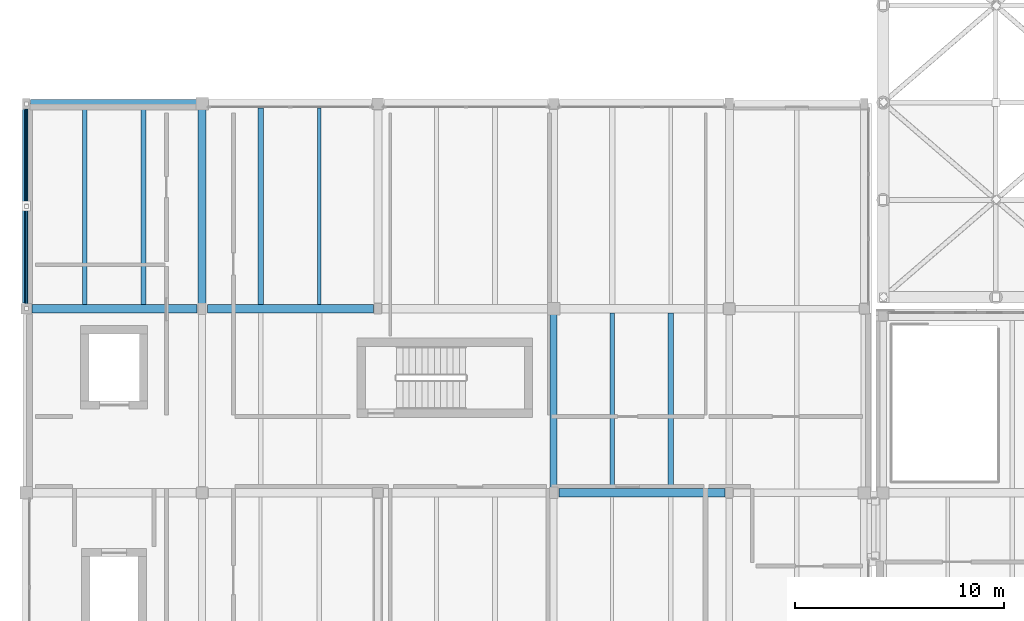
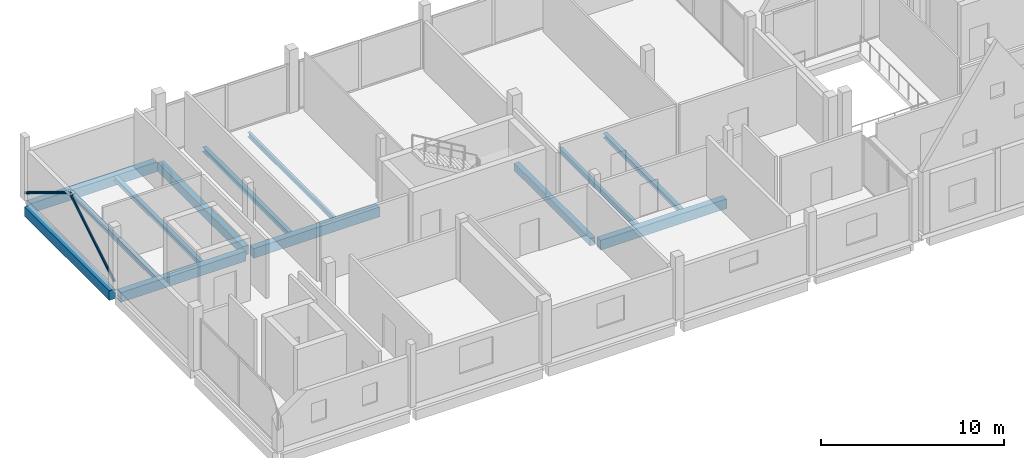
# One storey, part 5 of 41: 13 beams, 2 members.
"""IFC4 building model written with IfcOpenShell, lengths in metres."""

from ifc_helpers import new_model, si_unit, direction, frame, origin, origin_2d, place, context, subcontext, project, spatial, rectangle, hollow_circle, i_section, extrude, material, material_profile, profile_set, type_object, element, save


model = new_model("IFC4")

# Units and contexts
model_context = context("Model", 3, precision=1e-05, world=origin(), true_north=direction((0.0, 1.0)))
body_context = subcontext(model_context, "Body", "Model", "MODEL_VIEW")
ifc_project = project(units=[si_unit("LENGTHUNIT", "METRE"), si_unit("AREAUNIT", "SQUARE_METRE"), si_unit("VOLUMEUNIT", "CUBIC_METRE"), si_unit("PLANEANGLEUNIT", "RADIAN"), si_unit("MASSUNIT", "GRAM", prefix="KILO")], contexts=[model_context])

# Site, building, storey
site_placement = place(None, origin())
site = spatial("IfcSite", under=ifc_project, at=site_placement, CompositionType="ELEMENT")
building_placement = place(site_placement, origin())
building = spatial("IfcBuilding", under=site, at=building_placement, Name="Birchvale Park Specialist Clinic", CompositionType="ELEMENT")
storey_placement = place(building_placement, frame((0.0, 0.0, 9.60009765625)))
storey = spatial("IfcBuildingStorey", under=building, at=storey_placement, Name="L02", CompositionType="ELEMENT", Elevation=9.60009765625)

# Beams
ifc_material_1 = material(Name="Concrete C40/50", Category="concrete")
ifc_material_profile_1 = material_profile(ifc_material_1, rectangle(XDim=0.3798828125, YDim=0.639892578125, at=origin_2d()), Name="RCB-380x640")
ifc_profile_set_1 = profile_set([ifc_material_profile_1], Name="Concrete C40/50")
beam_type_1 = type_object("IfcBeamType", Name="BM-EXT-BG5", PredefinedType="BEAM", material=ifc_profile_set_1)
beam_1_placement = place(storey_placement, frame((11.199951171875, 34.875, -0.670166015625), z_axis=(0.0, 1.0, 0.0), x_axis=(-1.0, 0.0, 0.0)))
element("IfcBeam", 1, at=beam_1_placement, inside=storey, type_object=beam_type_1, Name="V2 L02 Y girder 23", PredefinedType="BEAM", context=body_context, shape_type="SweptSolid", body=[
    extrude(rectangle(XDim=0.3798828125, YDim=0.639892578125, at=origin_2d()), origin(), (0.0, 0.0, 1.0), 9.25),
])
ifc_material_profile_2 = material_profile(ifc_material_1, rectangle(XDim=0.39990234375, YDim=0.64990234375, at=origin_2d()), Name="RCB-400x650")
ifc_profile_set_2 = profile_set([ifc_material_profile_2], Name="Concrete C40/50")
beam_type_2 = type_object("IfcBeamType", Name="BM-INT-BG4", PredefinedType="BEAM", material=ifc_profile_set_2)
beam_2_placement = place(storey_placement, frame((36.64990234375, 25.800048828125, -0.675048828125), z_axis=(1.0, 0.0, 0.0), x_axis=(0.0, 1.0, 0.0)))
element("IfcBeam", 2, at=beam_2_placement, inside=storey, type_object=beam_type_2, Name="V2 L02 X girder 9", PredefinedType="BEAM", context=body_context, shape_type="SweptSolid", body=[
    extrude(rectangle(XDim=0.39990234375, YDim=0.64990234375, at=origin_2d()), origin(), (0.0, 0.0, 1.0), 7.9501953125),
])
beam_3_placement = place(storey_placement, frame((11.47509765625, 34.60009765625, -0.675048828125), z_axis=(1.0, 0.0, 0.0), x_axis=(0.0, 1.0, 0.0)))
element("IfcBeam", 3, at=beam_3_placement, inside=storey, type_object=beam_type_2, Name="V2 L02 X girder 11", PredefinedType="BEAM", context=body_context, shape_type="SweptSolid", body=[
    extrude(rectangle(XDim=0.39990234375, YDim=0.64990234375, at=origin_2d()), origin(), (0.0, 0.0, 1.0), 7.875),
])
beam_4_placement = place(storey_placement, frame((19.85009765625, 34.60009765625, -0.675048828125), z_axis=(1.0, 0.0, 0.0), x_axis=(0.0, 1.0, 0.0)))
element("IfcBeam", 4, at=beam_4_placement, inside=storey, type_object=beam_type_2, Name="V2 L02 X girder 12", PredefinedType="BEAM", context=body_context, shape_type="SweptSolid", body=[
    extrude(rectangle(XDim=0.39990234375, YDim=0.64990234375, at=origin_2d()), origin(), (0.0, 0.0, 1.0), 7.949951171875),
])
beam_5_placement = place(storey_placement, frame((11.39990234375, 44.39990234375, -0.675048828125), z_axis=(1.0, 0.0, 0.0), x_axis=(0.0, 1.0, 0.0)))
element("IfcBeam", 5, at=beam_5_placement, inside=storey, type_object=beam_type_2, Name="V2 L02 X girder 16", PredefinedType="BEAM", context=body_context, shape_type="SweptSolid", body=[
    extrude(rectangle(XDim=0.39990234375, YDim=0.64990234375, at=origin_2d()), origin(), (0.0, 0.0, 1.0), 8.025146484375),
])
ifc_material_profile_3 = material_profile(ifc_material_1, rectangle(XDim=0.3798828125, YDim=0.60009765625, at=origin_2d()), Name="RCB-380x600")
ifc_profile_set_3 = profile_set([ifc_material_profile_3], Name="Concrete C40/50")
beam_type_3 = type_object("IfcBeamType", Name="BM-INT-BG5", PredefinedType="BEAM", material=ifc_profile_set_3)
beam_6_placement = place(storey_placement, frame((19.60009765625, 34.85009765625, -0.650146484375), z_axis=(0.0, 1.0, 0.0), x_axis=(-1.0, 0.0, 0.0)))
element("IfcBeam", 6, at=beam_6_placement, inside=storey, type_object=beam_type_3, Name="V2 L02 Y girder 26", PredefinedType="BEAM", context=body_context, shape_type="SweptSolid", body=[
    extrude(rectangle(XDim=0.3798828125, YDim=0.60009765625, at=origin_2d()), origin(), (0.0, 0.0, 1.0), 9.2998046875),
])
ifc_material_profile_4 = material_profile(ifc_material_1, rectangle(XDim=0.320068359375, YDim=0.5, at=origin_2d()), Name="RCB-320x500")
ifc_profile_set_4 = profile_set([ifc_material_profile_4], Name="Concrete C40/50")
beam_type_4 = type_object("IfcBeamType", Name="BM-INT-BG7", PredefinedType="BEAM", material=ifc_profile_set_4)
beam_7_placement = place(storey_placement, frame((36.39990234375, 26.050048828125, -0.60009765625), z_axis=(0.0, 1.0, 0.0), x_axis=(-1.0, 0.0, 0.0)))
element("IfcBeam", 7, at=beam_7_placement, inside=storey, type_object=beam_type_4, Name="V2 L02 Y girder 30", PredefinedType="BEAM", context=body_context, shape_type="SweptSolid", body=[
    extrude(rectangle(XDim=0.320068359375, YDim=0.5, at=origin_2d()), origin(), (0.0, 0.0, 1.0), 8.300048828125),
])

# Members
ifc_material_2 = material(Name="Steel EN 10210 S355", Category="steel")
ifc_material_profile_5 = material_profile(ifc_material_2, hollow_circle(Radius=0.084228515625, WallThickness=0.008056640625, at=origin_2d()), Name="CHS168.3X8")
ifc_profile_set_5 = profile_set([ifc_material_profile_5], Name="Steel EN 10210 S355")
member_type = type_object("IfcMemberType", Name="MEM-BR4", PredefinedType="BRACE", material=ifc_profile_set_5)
for number, where, z_axis, x_axis, name in (
    (8, (11.199951171875, 34.62548828125, 0.365478515625), (0.0, 0.853631182631, 0.520877916636), (-1.0, 0.0, 0.0), "V2 L02 chevron steel brace 8.1"),
    (9, (11.199951171875, 44.37451171875, 0.365478515625), (0.0, -0.853631182631, 0.520877916636), (1.0, 0.0, 0.0), "V2 L02 chevron steel brace 8.2"),
):
    element("IfcMember", number, at=place(storey_placement, frame(where, z_axis=z_axis, x_axis=x_axis)), inside=storey, type_object=member_type, Name=name, PredefinedType="BRACE", context=body_context, shape_type="SweptSolid", body=[
        extrude(hollow_circle(Radius=0.084228515625, WallThickness=0.008056640625, at=origin_2d()), origin(), (0.0, 0.0, 1.0), 5.68017578125),
    ])

# Beams
ifc_material_3 = material(Name="Steel ASTM A992 Grade 50", Category="steel")
ifc_material_profile_6 = material_profile(ifc_material_3, i_section(OverallWidth=0.2041015625, OverallDepth=0.35107421875, WebThickness=0.008544921875, FlangeThickness=0.01513671875, at=origin_2d()), Name="W14X48")
ifc_profile_set_6 = profile_set([ifc_material_profile_6], Name="Steel ASTM A992 Grade 50")
beam_type_5 = type_object("IfcBeamType", Name="STL-INT-SJ1", PredefinedType="JOIST", material=ifc_profile_set_6)
beam_8_placement = place(storey_placement, frame((14.0, 34.800048828125, -0.525634765625), z_axis=(0.0, 1.0, 0.0), x_axis=(-1.0, 0.0, 0.0)))
element("IfcBeam", 10, at=beam_8_placement, inside=storey, type_object=beam_type_5, Name="V2 L02 secondary floor joist 1", PredefinedType="JOIST", context=body_context, shape_type="SweptSolid", body=[
    extrude(i_section(OverallWidth=0.2041015625, OverallDepth=0.35107421875, WebThickness=0.008544921875, FlangeThickness=0.01513671875, at=origin_2d()), origin(), (0.0, 0.0, 1.0), 9.39990234375),
])
beam_9_placement = place(storey_placement, frame((39.199951171875, 26.0, -0.525634765625), z_axis=(0.0, 1.0, 0.0), x_axis=(-1.0, 0.0, 0.0)))
element("IfcBeam", 11, at=beam_9_placement, inside=storey, type_object=beam_type_5, Name="V2 L02 secondary floor joist 15", PredefinedType="JOIST", context=body_context, shape_type="SweptSolid", body=[
    extrude(i_section(OverallWidth=0.2041015625, OverallDepth=0.35107421875, WebThickness=0.008544921875, FlangeThickness=0.01513671875, at=origin_2d()), origin(), (0.0, 0.0, 1.0), 8.39990234375),
])
ifc_material_profile_7 = material_profile(ifc_material_3, i_section(OverallWidth=0.25390625, OverallDepth=0.305908203125, WebThickness=0.0087890625, FlangeThickness=0.0146484375, at=origin_2d()), Name="W12X53")
ifc_profile_set_7 = profile_set([ifc_material_profile_7], Name="Steel ASTM A992 Grade 50")
beam_type_6 = type_object("IfcBeamType", Name="STL-INT-SJ2", PredefinedType="JOIST", material=ifc_profile_set_7)
for number, where, z_axis, x_axis, name in (
    (12, (16.800048828125, 34.800048828125, -0.503173828125), (0.0, 1.0, 0.0), (-1.0, 0.0, 0.0), "V2 L02 secondary floor joist 2"),
    (13, (22.39990234375, 34.800048828125, -0.503173828125), (0.0, 1.0, 0.0), (-1.0, 0.0, 0.0), "V2 L02 secondary floor joist 7"),
):
    element("IfcBeam", number, at=place(storey_placement, frame(where, z_axis=z_axis, x_axis=x_axis)), inside=storey, type_object=beam_type_6, Name=name, PredefinedType="JOIST", context=body_context, shape_type="SweptSolid", body=[
        extrude(i_section(OverallWidth=0.25390625, OverallDepth=0.305908203125, WebThickness=0.0087890625, FlangeThickness=0.0146484375, at=origin_2d()), origin(), (0.0, 0.0, 1.0), 9.39990234375),
    ])
beam_10_placement = place(storey_placement, frame((42.0, 26.0, -0.503173828125), z_axis=(0.0, 1.0, 0.0), x_axis=(-1.0, 0.0, 0.0)))
element("IfcBeam", 14, at=beam_10_placement, inside=storey, type_object=beam_type_6, Name="V2 L02 secondary floor joist 16", PredefinedType="JOIST", context=body_context, shape_type="SweptSolid", body=[
    extrude(i_section(OverallWidth=0.25390625, OverallDepth=0.305908203125, WebThickness=0.0087890625, FlangeThickness=0.0146484375, at=origin_2d()), origin(), (0.0, 0.0, 1.0), 8.39990234375),
])
ifc_material_profile_8 = material_profile(ifc_material_3, i_section(OverallWidth=0.1669921875, OverallDepth=0.31689453125, WebThickness=0.007568359375, FlangeThickness=0.01318359375, at=origin_2d()), Name="W12X35")
ifc_profile_set_8 = profile_set([ifc_material_profile_8], Name="Steel ASTM A992 Grade 50")
beam_type_7 = type_object("IfcBeamType", Name="STL-INT-SJ3", PredefinedType="JOIST", material=ifc_profile_set_8)
beam_11_placement = place(storey_placement, frame((25.199951171875, 34.800048828125, -0.508544921875), z_axis=(0.0, 1.0, 0.0), x_axis=(-1.0, 0.0, 0.0)))
element("IfcBeam", 15, at=beam_11_placement, inside=storey, type_object=beam_type_7, Name="V2 L02 secondary floor joist 8", PredefinedType="JOIST", context=body_context, shape_type="SweptSolid", body=[
    extrude(i_section(OverallWidth=0.1669921875, OverallDepth=0.31689453125, WebThickness=0.007568359375, FlangeThickness=0.01318359375, at=origin_2d()), origin(), (0.0, 0.0, 1.0), 9.39990234375),
])

save(model, "model.ifc")
